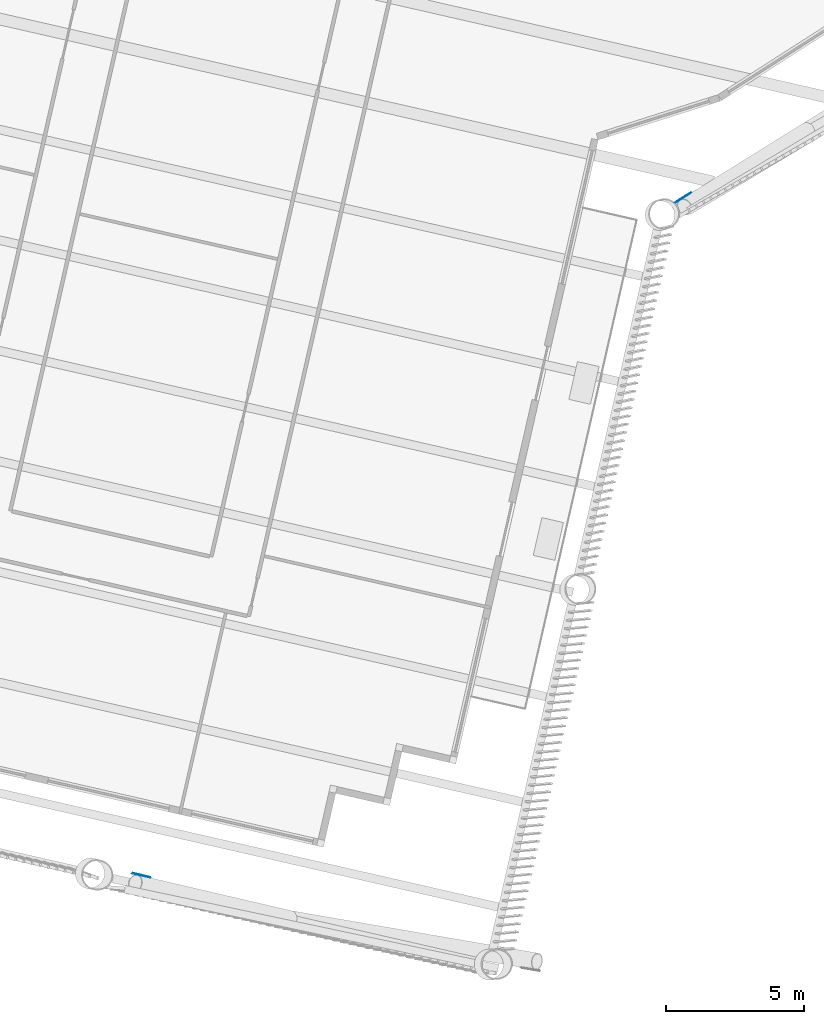
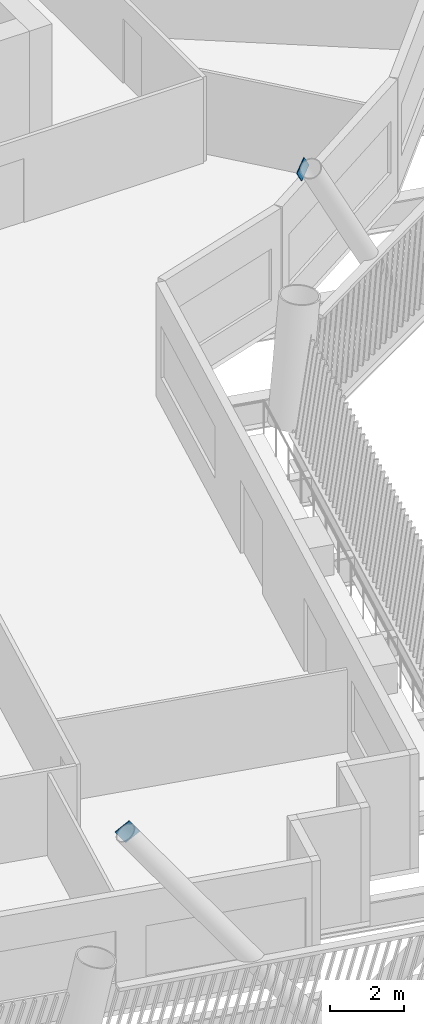
# One storey, part 10 of 21: 2 discrete accessories.
"""IFC4 building model written with IfcOpenShell, lengths in metres."""

from ifc_helpers import new_model, si_unit, direction, frame, origin, origin_2d, place, context, subcontext, project, spatial, rectangle, extrude, material, material_profile, profile_set, type_object, element, save


model = new_model("IFC4")

# Units and contexts
model_context = context("Model", 3, precision=1e-05, world=origin(), true_north=direction((0.0, 1.0)))
body_context = subcontext(model_context, "Body", "Model", "MODEL_VIEW")
ifc_project = project(units=[si_unit("LENGTHUNIT", "METRE"), si_unit("AREAUNIT", "SQUARE_METRE"), si_unit("VOLUMEUNIT", "CUBIC_METRE"), si_unit("PLANEANGLEUNIT", "RADIAN"), si_unit("MASSUNIT", "GRAM", prefix="KILO")], contexts=[model_context])

# Site, building, storey
site_placement = place(None, origin())
site = spatial("IfcSite", under=ifc_project, at=site_placement, CompositionType="ELEMENT")
building_placement = place(site_placement, origin())
building = spatial("IfcBuilding", under=site, at=building_placement, Name="Tarsis Ring Headquarters", CompositionType="ELEMENT")
storey_placement = place(building_placement, frame((0.0, 0.0, 171.0)))
storey = spatial("IfcBuildingStorey", under=building, at=storey_placement, Name="L39", CompositionType="ELEMENT", Elevation=171.0)

# Discrete accessories
ifc_material = material(Name="Structural steel S355", Category="steel")
ifc_material_profile = material_profile(ifc_material, rectangle(XDim=0.02490234375, YDim=0.5, at=origin_2d()), Name="PL 25x500")
ifc_profile_set = profile_set([ifc_material_profile], Name="Structural steel S355")
discrete_accessory_type = type_object("IfcDiscreteAccessoryType", Name="Gusset plate Exo brace 25", PredefinedType="BRACKET", material=ifc_profile_set)
for number, where, z_axis, x_axis, name in (
    (1, (-10.056884765625, -51.51025390625, 7.800048828125), (0.577045538048, -0.134741597717, -0.805520421134), (0.227385877315, 0.973804735457, 0.0), "Gusset plate GP5"),
    (2, (9.5625, -27.10107421875, 7.800048828125), (0.472671463889, 0.294443070997, -0.830593140573), (-0.528737274118, 0.848785541205, 0.0), "Gusset plate GP5"),
):
    element("IfcDiscreteAccessory", number, at=place(storey_placement, frame(where, z_axis=z_axis, x_axis=x_axis)), inside=storey, type_object=discrete_accessory_type, Name=name, PredefinedType="BRACKET", context=body_context, shape_type="SweptSolid", body=[
        extrude(rectangle(XDim=0.02490234375, YDim=0.5, at=origin_2d()), origin(), (0.0, 0.0, 1.0), 0.5),
    ])

save(model, "model.ifc")
